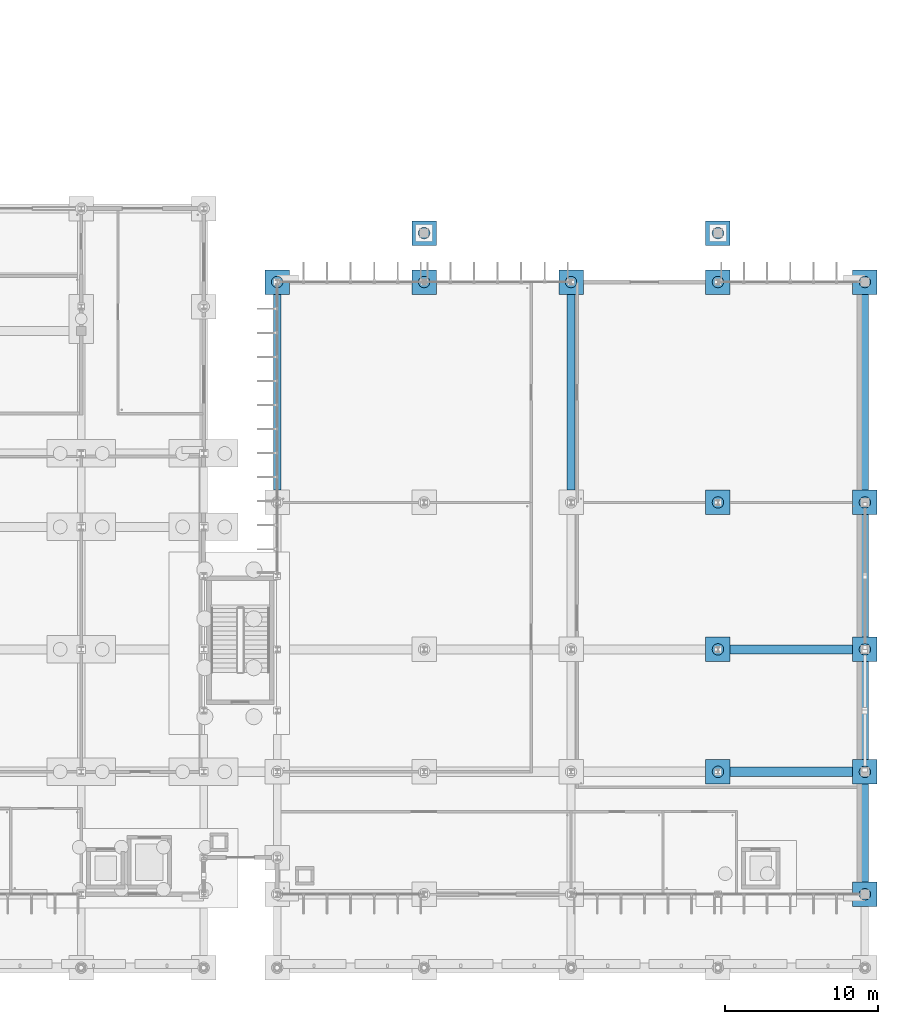
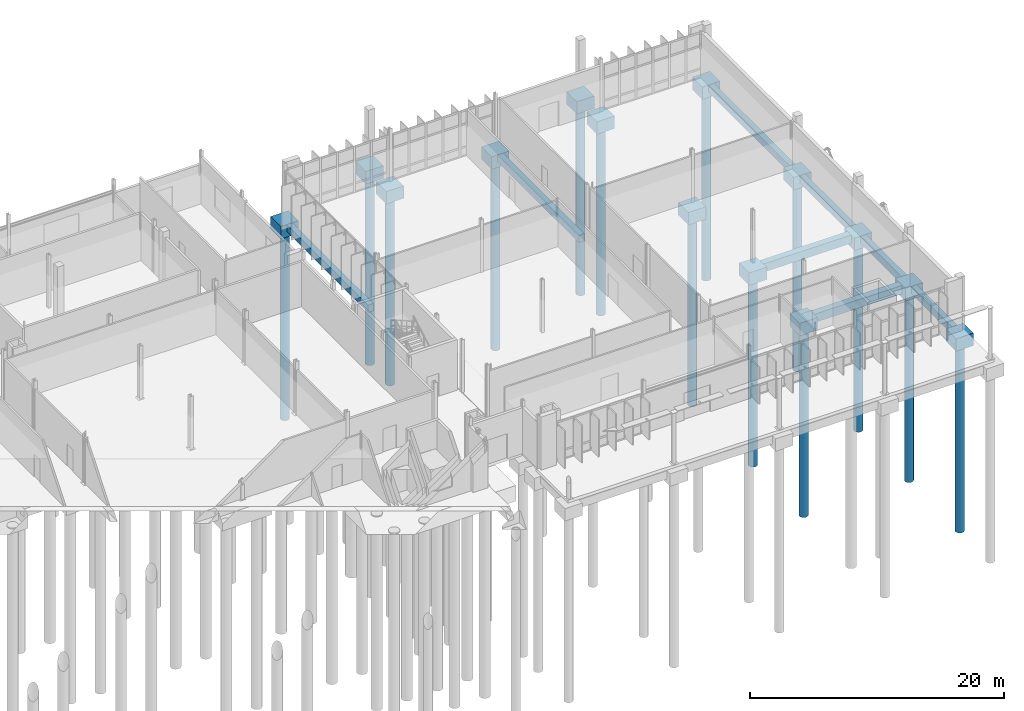
# One storey, part 5 of 111: 22 footings, 14 piles.
"""IFC4 building model written with IfcOpenShell, lengths in metres."""

from ifc_helpers import new_model, si_unit, direction, frame, origin, origin_2d, place, context, subcontext, project, spatial, rectangle, circle, extrude, material, material_profile, profile_set, type_object, element, save


model = new_model("IFC4")

# Units and contexts
model_context = context("Model", 3, precision=1e-05, world=origin(), true_north=direction((0.0, 1.0)))
body_context = subcontext(model_context, "Body", "Model", "MODEL_VIEW")
ifc_project = project(units=[si_unit("LENGTHUNIT", "METRE"), si_unit("AREAUNIT", "SQUARE_METRE"), si_unit("VOLUMEUNIT", "CUBIC_METRE"), si_unit("PLANEANGLEUNIT", "RADIAN"), si_unit("MASSUNIT", "GRAM", prefix="KILO")], contexts=[model_context])

# Site, building, storey
site_placement = place(None, origin())
site = spatial("IfcSite", under=ifc_project, at=site_placement, CompositionType="ELEMENT")
building_placement = place(site_placement, origin())
building = spatial("IfcBuilding", under=site, at=building_placement, Name="Dunescarp Central Library", CompositionType="ELEMENT")
storey_placement = place(building_placement, origin())
storey = spatial("IfcBuildingStorey", under=building, at=storey_placement, Name="L00", CompositionType="ELEMENT", Elevation=0.0)

# Footings
ifc_material_1 = material(Name="Concrete C35/45", Category="concrete")
footing_type_1 = type_object("IfcFootingType", Name="STR-GB-EW-8000", PredefinedType="FOOTING_BEAM", material=ifc_material_1)
for number, where, z_axis, x_axis, name in (
    (1, (163.199951171875, 12.800048828125, -1.10009765625), (0.0, 0.0, 1.0), (1.0, 0.0, 0.0), "Ground tie beam GB-045"),
    (2, (163.199951171875, 20.800048828125, -1.10009765625), (0.0, 0.0, 1.0), (1.0, 0.0, 0.0), "Ground tie beam GB-054"),
):
    element("IfcFooting", number, at=place(storey_placement, frame(where, z_axis=z_axis, x_axis=x_axis)), inside=storey, type_object=footing_type_1, Name=name, PredefinedType="FOOTING_BEAM", context=body_context, shape_type="SweptSolid", body=[
        extrude(rectangle(XDim=8.0, YDim=0.60009765625, at=origin_2d()), origin(), (0.0, 0.0, 1.0), 0.800048828125),
    ])
footing_type_2 = type_object("IfcFootingType", Name="STR-GB-NS-12800", PredefinedType="FOOTING_BEAM", material=ifc_material_1)
for number, where, z_axis, x_axis, name in (
    (3, (129.60009765625, 37.60009765625, -1.0), (0.0, 0.0, 1.0), (0.0, 1.0, 0.0), "Ground tie beam GB-186"),
    (4, (148.800048828125, 37.60009765625, -1.0), (0.0, 0.0, 1.0), (0.0, 1.0, 0.0), "Ground tie beam GB-191"),
    (5, (168.0, 37.60009765625, -1.0), (0.0, 0.0, 1.0), (0.0, 1.0, 0.0), "Ground tie beam GB-196"),
):
    element("IfcFooting", number, at=place(storey_placement, frame(where, z_axis=z_axis, x_axis=x_axis)), inside=storey, type_object=footing_type_2, Name=name, PredefinedType="FOOTING_BEAM", context=body_context, shape_type="SweptSolid", body=[
        extrude(rectangle(XDim=12.800048828125, YDim=0.5, at=origin_2d()), origin(), (0.0, 0.0, 1.0), 0.699951171875),
    ])
footing_type_3 = type_object("IfcFootingType", Name="STR-GB-NS-6400", PredefinedType="FOOTING_BEAM", material=ifc_material_1)
for number, where, z_axis, x_axis, name in (
    (6, (168.0, 8.800048828125, -1.0), (0.0, 0.0, 1.0), (0.0, 1.0, 0.0), "Ground tie beam GB-193"),
    (7, (168.0, 16.800048828125, -1.0), (0.0, 0.0, 1.0), (0.0, 1.0, 0.0), "Ground tie beam GB-194"),
):
    element("IfcFooting", number, at=place(storey_placement, frame(where, z_axis=z_axis, x_axis=x_axis)), inside=storey, type_object=footing_type_3, Name=name, PredefinedType="FOOTING_BEAM", context=body_context, shape_type="SweptSolid", body=[
        extrude(rectangle(XDim=6.39990234375, YDim=0.5, at=origin_2d()), origin(), (0.0, 0.0, 1.0), 0.699951171875),
    ])
footing_type_4 = type_object("IfcFootingType", Name="STR-GB-NS-8000", PredefinedType="FOOTING_BEAM", material=ifc_material_1)
footing_placement = place(storey_placement, frame((168.0, 25.60009765625, -1.0), z_axis=(0.0, 0.0, 1.0), x_axis=(0.0, 1.0, 0.0)))
element("IfcFooting", 8, at=footing_placement, inside=storey, type_object=footing_type_4, Name="Ground tie beam GB-195", PredefinedType="FOOTING_BEAM", context=body_context, shape_type="SweptSolid", body=[
    extrude(rectangle(XDim=8.0, YDim=0.5, at=origin_2d()), origin(), (0.0, 0.0, 1.0), 0.699951171875),
])
ifc_material_2 = material(Name="Concrete C40/50", Category="concrete")
footing_type_5 = type_object("IfcFootingType", Name="STR-PC-1600X1600X1200", PredefinedType="PILE_CAP", material=ifc_material_2)
for number, where, z_axis, x_axis, name in (
    (9, (168.0, 4.800048828125, -1.5), (0.0, 0.0, 1.0), (1.0, 0.0, 0.0), "Pile cap PC-037"),
    (10, (158.39990234375, 12.800048828125, -1.5), (0.0, 0.0, 1.0), (1.0, 0.0, 0.0), "Pile cap PC-051"),
    (11, (168.0, 12.800048828125, -1.5), (0.0, 0.0, 1.0), (1.0, 0.0, 0.0), "Pile cap PC-052"),
    (12, (158.39990234375, 20.800048828125, -1.5), (0.0, 0.0, 1.0), (1.0, 0.0, 0.0), "Pile cap PC-061"),
    (13, (168.0, 20.800048828125, -1.5), (0.0, 0.0, 1.0), (1.0, 0.0, 0.0), "Pile cap PC-062"),
    (14, (158.39990234375, 30.39990234375, -1.5), (0.0, 0.0, 1.0), (1.0, 0.0, 0.0), "Pile cap PC-078"),
    (15, (168.0, 30.39990234375, -1.5), (0.0, 0.0, 1.0), (1.0, 0.0, 0.0), "Pile cap PC-079"),
    (16, (129.60009765625, 44.800048828125, -1.5), (0.0, 0.0, 1.0), (1.0, 0.0, 0.0), "Pile cap PC-105"),
    (17, (139.199951171875, 44.800048828125, -1.5), (0.0, 0.0, 1.0), (1.0, 0.0, 0.0), "Pile cap PC-106"),
    (18, (148.800048828125, 44.800048828125, -1.5), (0.0, 0.0, 1.0), (1.0, 0.0, 0.0), "Pile cap PC-107"),
    (19, (158.39990234375, 44.800048828125, -1.5), (0.0, 0.0, 1.0), (1.0, 0.0, 0.0), "Pile cap PC-108"),
    (20, (168.0, 44.800048828125, -1.5), (0.0, 0.0, 1.0), (1.0, 0.0, 0.0), "Pile cap PC-109"),
    (21, (139.199951171875, 48.0, -1.5), (0.0, 0.0, 1.0), (1.0, 0.0, 0.0), "Pile cap PC-112"),
    (22, (158.39990234375, 48.0, -1.5), (0.0, 0.0, 1.0), (1.0, 0.0, 0.0), "Pile cap PC-113"),
):
    element("IfcFooting", number, at=place(storey_placement, frame(where, z_axis=z_axis, x_axis=x_axis)), inside=storey, type_object=footing_type_5, Name=name, PredefinedType="PILE_CAP", context=body_context, shape_type="SweptSolid", body=[
        extrude(rectangle(XDim=1.60009765625, YDim=1.60009765625, at=origin_2d()), origin(), (0.0, 0.0, 1.0), 1.199951171875),
    ])

# Piles
ifc_material_profile = material_profile(ifc_material_2, circle(Radius=0.375, at=origin_2d()), Name="PILE D750")
ifc_profile_set = profile_set([ifc_material_profile], Name="Concrete C40/50")
pile_type = type_object("IfcPileType", Name="STR-PILE-D750", PredefinedType="BORED", material=ifc_profile_set)
for number, where, z_axis, x_axis, name in (
    (23, (168.0, 4.800048828125, -1.39990234375), (0.0, 0.0, -1.0), (1.0, 0.0, 0.0), "Bored pile BP-037-01"),
    (24, (158.39990234375, 12.800048828125, -1.39990234375), (0.0, 0.0, -1.0), (1.0, 0.0, 0.0), "Bored pile BP-051-01"),
    (25, (168.0, 12.800048828125, -1.39990234375), (0.0, 0.0, -1.0), (1.0, 0.0, 0.0), "Bored pile BP-052-01"),
    (26, (158.39990234375, 20.800048828125, -1.39990234375), (0.0, 0.0, -1.0), (1.0, 0.0, 0.0), "Bored pile BP-061-01"),
    (27, (168.0, 20.800048828125, -1.39990234375), (0.0, 0.0, -1.0), (1.0, 0.0, 0.0), "Bored pile BP-062-01"),
    (28, (158.39990234375, 30.39990234375, -1.39990234375), (0.0, 0.0, -1.0), (1.0, 0.0, 0.0), "Bored pile BP-078-01"),
    (29, (168.0, 30.39990234375, -1.39990234375), (0.0, 0.0, -1.0), (1.0, 0.0, 0.0), "Bored pile BP-079-01"),
    (30, (129.60009765625, 44.800048828125, -1.39990234375), (0.0, 0.0, -1.0), (1.0, 0.0, 0.0), "Bored pile BP-105-01"),
    (31, (139.199951171875, 44.800048828125, -1.39990234375), (0.0, 0.0, -1.0), (1.0, 0.0, 0.0), "Bored pile BP-106-01"),
    (32, (148.800048828125, 44.800048828125, -1.39990234375), (0.0, 0.0, -1.0), (1.0, 0.0, 0.0), "Bored pile BP-107-01"),
    (33, (158.39990234375, 44.800048828125, -1.39990234375), (0.0, 0.0, -1.0), (1.0, 0.0, 0.0), "Bored pile BP-108-01"),
    (34, (168.0, 44.800048828125, -1.39990234375), (0.0, 0.0, -1.0), (1.0, 0.0, 0.0), "Bored pile BP-109-01"),
    (35, (139.199951171875, 48.0, -1.39990234375), (0.0, 0.0, -1.0), (1.0, 0.0, 0.0), "Bored pile BP-112-01"),
    (36, (158.39990234375, 48.0, -1.39990234375), (0.0, 0.0, -1.0), (1.0, 0.0, 0.0), "Bored pile BP-113-01"),
):
    element("IfcPile", number, at=place(storey_placement, frame(where, z_axis=z_axis, x_axis=x_axis)), inside=storey, type_object=pile_type, Name=name, PredefinedType="BORED", context=body_context, shape_type="SweptSolid", body=[
        extrude(circle(Radius=0.375, at=origin_2d()), origin(), (0.0, 0.0, 1.0), 18.10009765625),
    ])

save(model, "model.ifc")
